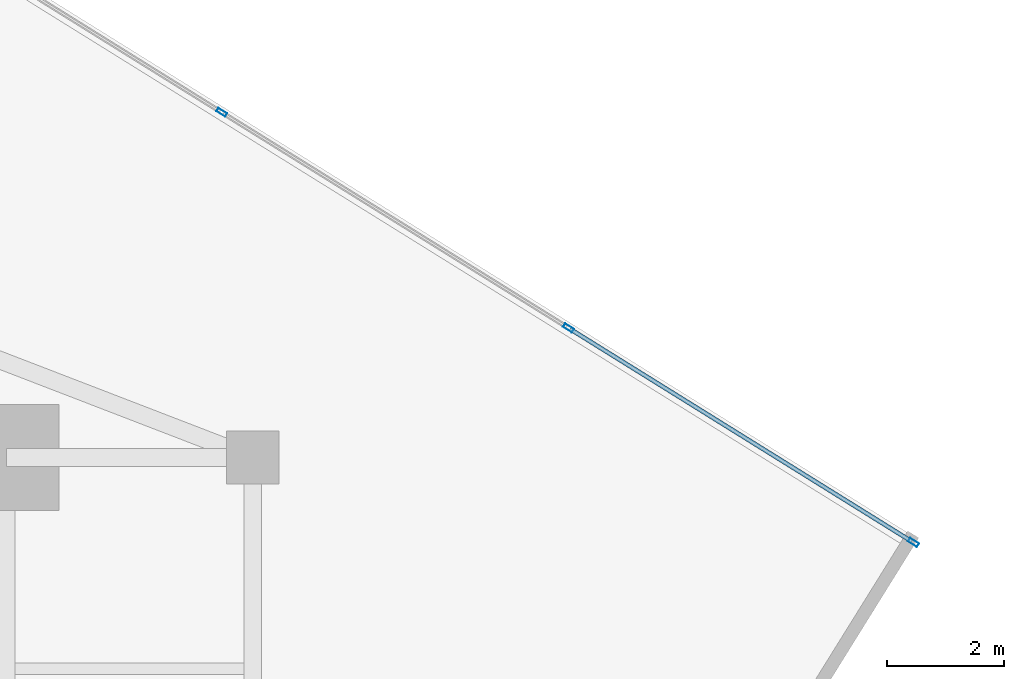
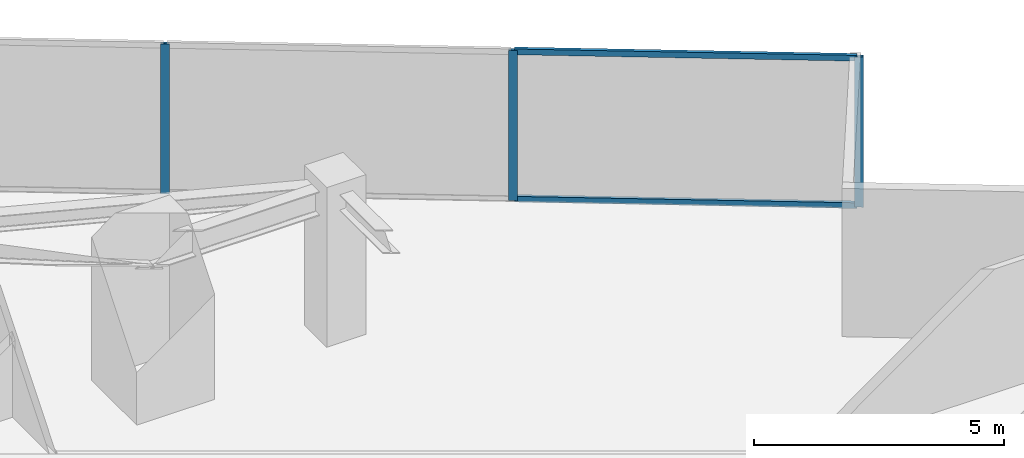
# One storey, part 18 of 26: 5 members, 1 element without a shape of its own.
"""IFC4 building model written with IfcOpenShell, lengths in metres."""

from ifc_helpers import new_model, si_unit, direction, frame, origin, origin_2d, place, context, subcontext, project, spatial, hollow_rectangle, extrude, source, transform, mapped, material, material_profile, profile_set, type_object, type_shapes, element, aggregate, save


model = new_model("IFC4")

# Units and contexts
model_context = context("Model", 3, precision=1e-05, world=origin(), true_north=direction((0.0, 1.0)))
body_context = subcontext(model_context, "Body", "Model", "MODEL_VIEW")
ifc_project = project(units=[si_unit("LENGTHUNIT", "METRE"), si_unit("AREAUNIT", "SQUARE_METRE"), si_unit("VOLUMEUNIT", "CUBIC_METRE"), si_unit("PLANEANGLEUNIT", "RADIAN"), si_unit("MASSUNIT", "GRAM", prefix="KILO")], contexts=[model_context])

# Site, building, storey
site_placement = place(None, origin())
site = spatial("IfcSite", under=ifc_project, at=site_placement, CompositionType="ELEMENT")
building_placement = place(site_placement, origin())
building = spatial("IfcBuilding", under=site, at=building_placement, Name="Krantzveldt Concourse Tower", CompositionType="ELEMENT")
storey_placement = place(building_placement, frame((0.0, 0.0, 173.85009765625)))
storey = spatial("IfcBuildingStorey", under=building, at=storey_placement, Name="L42", CompositionType="ELEMENT", Elevation=173.85009765625)

# Curtain wall, members
ifc_material = material(Name="Anodised aluminium 6063-T6", Category="aluminium")
curtain_wall_type = type_object("IfcCurtainWallType", Name="CW3", PredefinedType="USERDEFINED", material=ifc_material)
curtain_wall_placement = place(storey_placement, origin())
curtain_wall = element("IfcCurtainWall", 1, at=curtain_wall_placement, inside=storey, type_object=curtain_wall_type, Name="CW-L42-F10", ObjectType="UNITISED CURTAIN WALL", PredefinedType="USERDEFINED")
ifc_material_profile_1 = material_profile(ifc_material, hollow_rectangle(XDim=0.070068359375, YDim=0.179931640625, WallThickness=0.0048828125, at=origin_2d()), Name="Anodised aluminium 6063-T6", Category="aluminium")
ifc_profile_set_1 = profile_set([ifc_material_profile_1], Name="Anodised aluminium 6063-T6 - ALU-MULL 180x70x5")
member_type_1 = type_object("IfcMemberType", Name="CW-MUL-180", PredefinedType="MULLION", material=ifc_profile_set_1)
shared_shape_1 = source(origin(), body_context, "Body", "SweptSolid", [
    extrude(hollow_rectangle(XDim=0.070068359375, YDim=0.179931640625, WallThickness=0.0048828125, at=origin_2d()), origin(), (0.0, 0.0, 1.0), 3.669921875),
])
type_shapes(member_type_1, [shared_shape_1])
member_1_placement = place(storey_placement, frame((62.263427734375, 36.05126953125, 0.0), z_axis=(0.0, 0.0, 1.0), x_axis=(-0.528067901977, -0.84920214961, 0.0)))
member_1 = element("IfcMember", 2, at=member_1_placement, type_object=member_type_1, Name="CW-Z34 mullion 1", PredefinedType="MULLION", context=body_context, shape_type="MappedRepresentation", body=[
    mapped(shared_shape_1, transform((0.0, 0.0, 0.0), x_axis=(1.0, 0.0, 0.0), y_axis=(0.0, 1.0, 0.0), z_axis=(0.0, 0.0, 1.0), scale=1.0)),
])
member_2_placement = place(storey_placement, frame((56.3828125, 39.7080078125, 0.0), z_axis=(0.0, 0.0, 1.0), x_axis=(-0.528067901977, -0.84920214961, 0.0)))
member_2 = element("IfcMember", 3, at=member_2_placement, type_object=member_type_1, Name="CW-Z34 mullion 2", PredefinedType="MULLION", context=body_context, shape_type="MappedRepresentation", body=[
    mapped(shared_shape_1, transform((0.0, 0.0, 0.0), x_axis=(1.0, 0.0, 0.0), y_axis=(0.0, 1.0, 0.0), z_axis=(0.0, 0.0, 1.0), scale=1.0)),
])
member_3_placement = place(storey_placement, frame((50.472412109375, 43.383544921875, 0.0), z_axis=(0.0, 0.0, 1.0), x_axis=(-0.528067901977, -0.84920214961, 0.0)))
member_3 = element("IfcMember", 4, at=member_3_placement, type_object=member_type_1, Name="CW-Z34 mullion 3", PredefinedType="MULLION", context=body_context, shape_type="MappedRepresentation", body=[
    mapped(shared_shape_1, transform((0.0, 0.0, 0.0), x_axis=(1.0, 0.0, 0.0), y_axis=(0.0, 1.0, 0.0), z_axis=(0.0, 0.0, 1.0), scale=1.0)),
])
ifc_material_profile_2 = material_profile(ifc_material, hollow_rectangle(XDim=0.070068359375, YDim=0.139892578125, WallThickness=0.0048828125, at=origin_2d()), Name="Anodised aluminium 6063-T6", Category="aluminium")
ifc_profile_set_2 = profile_set([ifc_material_profile_2], Name="Anodised aluminium 6063-T6 - ALU-TRAN 140x70x5")
member_type_2 = type_object("IfcMemberType", Name="CW-TRN-150", PredefinedType="USERDEFINED", material=ifc_profile_set_2)
shared_shape_2 = source(origin(), body_context, "Body", "SweptSolid", [
    extrude(hollow_rectangle(XDim=0.070068359375, YDim=0.139892578125, WallThickness=0.0048828125, at=origin_2d()), origin(), (0.0, 0.0, 1.0), 6.855224609375),
])
type_shapes(member_type_2, [shared_shape_2])
member_4_placement = place(storey_placement, frame((62.23388671875, 36.069580078125, 0.034912109375), z_axis=(-0.849188638159, 0.528089629534, 0.0), x_axis=(-0.528089629534, -0.849188638159, 0.0)))
member_4 = element("IfcMember", 5, at=member_4_placement, type_object=member_type_2, Name="CW-Z34 transom 1.1", ObjectType="TRANSOM", PredefinedType="USERDEFINED", context=body_context, shape_type="MappedRepresentation", body=[
    mapped(shared_shape_2, transform((0.0, 0.0, 0.0), x_axis=(1.0, 0.0, 0.0), y_axis=(0.0, 1.0, 0.0), z_axis=(0.0, 0.0, 1.0), scale=1.0)),
])
member_5_placement = place(storey_placement, frame((62.23388671875, 36.069580078125, 3.635009765625), z_axis=(-0.849188638159, 0.528089629534, 0.0), x_axis=(-0.528089629534, -0.849188638159, 0.0)))
member_5 = element("IfcMember", 6, at=member_5_placement, type_object=member_type_2, Name="CW-Z34 transom 1.2", ObjectType="TRANSOM", PredefinedType="USERDEFINED", context=body_context, shape_type="MappedRepresentation", body=[
    mapped(shared_shape_2, transform((0.0, 0.0, 0.0), x_axis=(1.0, 0.0, 0.0), y_axis=(0.0, 1.0, 0.0), z_axis=(0.0, 0.0, 1.0), scale=1.0)),
])
aggregate(curtain_wall, [member_1, member_2, member_3, member_4, member_5])

save(model, "model.ifc")
